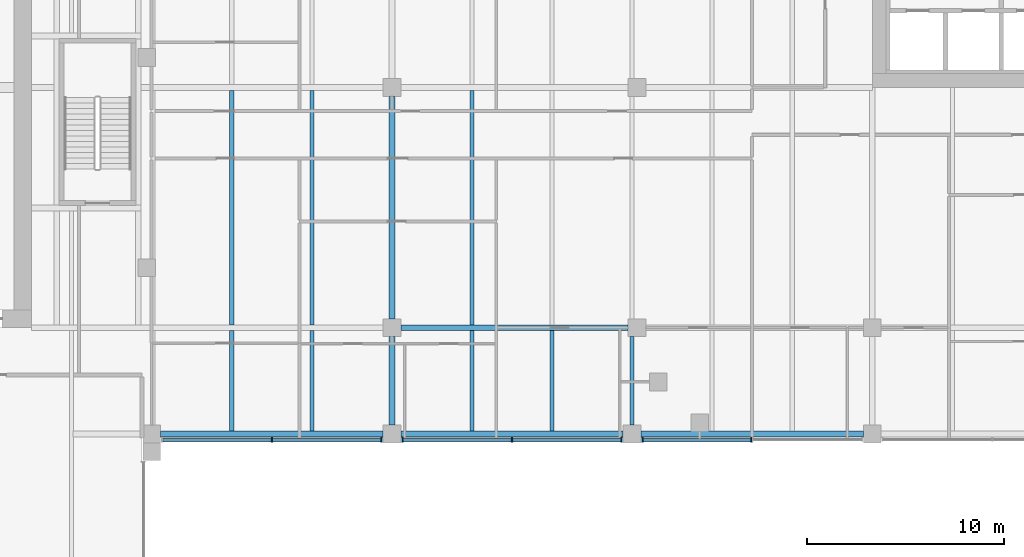
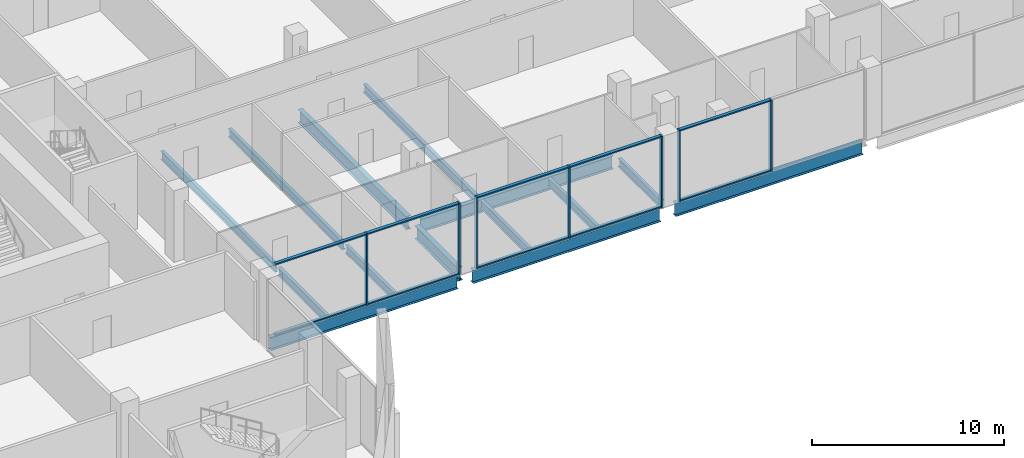
# One storey, part 7 of 33: 17 members, 14 beams, 3 elements without a shape of their own.
"""IFC4 building model written with IfcOpenShell, lengths in metres."""

from ifc_helpers import new_model, si_unit, direction, frame, origin, origin_2d, place, context, subcontext, project, spatial, rectangle, i_section, extrude, material, material_profile, profile_set, type_object, element, aggregate, save


model = new_model("IFC4")

# Units and contexts
model_context = context("Model", 3, precision=1e-05, world=origin(), true_north=direction((0.0, 1.0)))
body_context = subcontext(model_context, "Body", "Model", "MODEL_VIEW")
ifc_project = project(units=[si_unit("LENGTHUNIT", "METRE"), si_unit("AREAUNIT", "SQUARE_METRE"), si_unit("VOLUMEUNIT", "CUBIC_METRE"), si_unit("PLANEANGLEUNIT", "RADIAN"), si_unit("MASSUNIT", "GRAM", prefix="KILO")], contexts=[model_context])

# Site, building, storey
site_placement = place(None, origin())
site = spatial("IfcSite", under=ifc_project, at=site_placement, CompositionType="ELEMENT")
building_placement = place(site_placement, origin())
building = spatial("IfcBuilding", under=site, at=building_placement, Name="Tessera Gate Towers", CompositionType="ELEMENT")
storey_placement = place(building_placement, frame((0.0, 0.0, 7.199951171875)))
storey = spatial("IfcBuildingStorey", under=building, at=storey_placement, Name="L01", CompositionType="ELEMENT", Elevation=7.199951171875)

# Beams
ifc_material_1 = material(Name="Steel 350W", Category="steel")
ifc_material_profile_1 = material_profile(ifc_material_1, i_section(OverallWidth=0.2919921875, OverallDepth=0.8349609375, WebThickness=0.013916015625, FlangeThickness=0.018798828125, at=origin_2d()), Name="W840x176")
ifc_profile_set_1 = profile_set([ifc_material_profile_1], Name="Steel 350W")
beam_type_1 = type_object("IfcBeamType", Name="FLOOR GIRDER W840x176", PredefinedType="BEAM", material=ifc_profile_set_1)
for number, where, z_axis, x_axis, name in (
    (1, (61.449951171875, 19.0, -0.66748046875), (1.0, 0.0, 0.0), (0.0, 1.0, 0.0), "PD-GD-L01-189"),
    (2, (73.64990234375, 19.0, -0.66748046875), (1.0, 0.0, 0.0), (0.0, 1.0, 0.0), "PD-GD-L01-190"),
):
    element("IfcBeam", number, at=place(storey_placement, frame(where, z_axis=z_axis, x_axis=x_axis)), inside=storey, type_object=beam_type_1, Name=name, PredefinedType="BEAM", context=body_context, shape_type="SweptSolid", body=[
        extrude(i_section(OverallWidth=0.2919921875, OverallDepth=0.8349609375, WebThickness=0.013916015625, FlangeThickness=0.018798828125, at=origin_2d()), origin(), (0.0, 0.0, 1.0), 11.300048828125),
    ])
beam_1_placement = place(storey_placement, frame((85.85009765625, 19.0, -0.66748046875), z_axis=(1.0, 0.0, 0.0), x_axis=(0.0, 1.0, 0.0)))
element("IfcBeam", 3, at=beam_1_placement, inside=storey, type_object=beam_type_1, Name="PD-GD-L01-191", PredefinedType="BEAM", context=body_context, shape_type="SweptSolid", body=[
    extrude(i_section(OverallWidth=0.2919921875, OverallDepth=0.8349609375, WebThickness=0.013916015625, FlangeThickness=0.018798828125, at=origin_2d()), origin(), (0.0, 0.0, 1.0), 11.2998046875),
])
beam_2_placement = place(storey_placement, frame((73.64990234375, 24.39990234375, -0.66748046875), z_axis=(1.0, 0.0, 0.0), x_axis=(0.0, 1.0, 0.0)))
element("IfcBeam", 4, at=beam_2_placement, inside=storey, type_object=beam_type_1, Name="PD-GD-L01-207", PredefinedType="BEAM", context=body_context, shape_type="SweptSolid", body=[
    extrude(i_section(OverallWidth=0.2919921875, OverallDepth=0.8349609375, WebThickness=0.013916015625, FlangeThickness=0.018798828125, at=origin_2d()), origin(), (0.0, 0.0, 1.0), 11.550048828125),
])
beam_3_placement = place(storey_placement, frame((73.199951171875, 19.449951171875, -0.66748046875), z_axis=(0.0, 1.0, 0.0), x_axis=(-1.0, 0.0, 0.0)))
element("IfcBeam", 5, at=beam_3_placement, inside=storey, type_object=beam_type_1, Name="PD-GD-L01-247", PredefinedType="BEAM", context=body_context, shape_type="SweptSolid", body=[
    extrude(i_section(OverallWidth=0.2919921875, OverallDepth=0.8349609375, WebThickness=0.013916015625, FlangeThickness=0.018798828125, at=origin_2d()), origin(), (0.0, 0.0, 1.0), 4.5),
])
beam_4_placement = place(storey_placement, frame((73.199951171875, 24.85009765625, -0.66748046875), z_axis=(0.0, 1.0, 0.0), x_axis=(-1.0, 0.0, 0.0)))
element("IfcBeam", 6, at=beam_4_placement, inside=storey, type_object=beam_type_1, Name="PD-GD-L01-248", PredefinedType="BEAM", context=body_context, shape_type="SweptSolid", body=[
    extrude(i_section(OverallWidth=0.2919921875, OverallDepth=0.8349609375, WebThickness=0.013916015625, FlangeThickness=0.018798828125, at=origin_2d()), origin(), (0.0, 0.0, 1.0), 11.2998046875),
])
ifc_material_2 = material(Name="Steel 350W", Category="steel")
ifc_material_profile_2 = material_profile(ifc_material_2, i_section(OverallWidth=0.208984375, OverallDepth=0.528076171875, WebThickness=0.009521484375, FlangeThickness=0.01318359375, at=origin_2d()), Name="W530x82")
ifc_profile_set_2 = profile_set([ifc_material_profile_2], Name="Steel 350W")
beam_type_2 = type_object("IfcBeamType", Name="FLOOR SECONDARY W530x82", PredefinedType="BEAM", material=ifc_profile_set_2)
beam_5_placement = place(storey_placement, frame((65.066650390625, 19.14599609375, -0.513916015625), z_axis=(0.0, 1.0, 0.0), x_axis=(-1.0, 0.0, 0.0)))
element("IfcBeam", 7, at=beam_5_placement, inside=storey, type_object=beam_type_2, Name="PD-BM-L01-301", PredefinedType="BEAM", context=body_context, shape_type="SweptSolid", body=[
    extrude(i_section(OverallWidth=0.208984375, OverallDepth=0.528076171875, WebThickness=0.009521484375, FlangeThickness=0.01318359375, at=origin_2d()), origin(), (0.0, 0.0, 1.0), 5.10791015625),
])
beam_6_placement = place(storey_placement, frame((65.066650390625, 24.5458984375, -0.513916015625), z_axis=(0.0, 1.0, 0.0), x_axis=(-1.0, 0.0, 0.0)))
element("IfcBeam", 8, at=beam_6_placement, inside=storey, type_object=beam_type_2, Name="PD-BM-L01-302", PredefinedType="BEAM", context=body_context, shape_type="SweptSolid", body=[
    extrude(i_section(OverallWidth=0.208984375, OverallDepth=0.528076171875, WebThickness=0.009521484375, FlangeThickness=0.01318359375, at=origin_2d()), origin(), (0.0, 0.0, 1.0), 11.908203125),
])
beam_7_placement = place(storey_placement, frame((69.13330078125, 19.14599609375, -0.513916015625), z_axis=(0.0, 1.0, 0.0), x_axis=(-1.0, 0.0, 0.0)))
element("IfcBeam", 9, at=beam_7_placement, inside=storey, type_object=beam_type_2, Name="PD-BM-L01-305", PredefinedType="BEAM", context=body_context, shape_type="SweptSolid", body=[
    extrude(i_section(OverallWidth=0.208984375, OverallDepth=0.528076171875, WebThickness=0.009521484375, FlangeThickness=0.01318359375, at=origin_2d()), origin(), (0.0, 0.0, 1.0), 5.10791015625),
])
beam_8_placement = place(storey_placement, frame((69.13330078125, 24.5458984375, -0.513916015625), z_axis=(0.0, 1.0, 0.0), x_axis=(-1.0, 0.0, 0.0)))
element("IfcBeam", 10, at=beam_8_placement, inside=storey, type_object=beam_type_2, Name="PD-BM-L01-306", PredefinedType="BEAM", context=body_context, shape_type="SweptSolid", body=[
    extrude(i_section(OverallWidth=0.208984375, OverallDepth=0.528076171875, WebThickness=0.009521484375, FlangeThickness=0.01318359375, at=origin_2d()), origin(), (0.0, 0.0, 1.0), 11.908203125),
])
beam_9_placement = place(storey_placement, frame((77.2666015625, 19.14599609375, -0.513916015625), z_axis=(0.0, 1.0, 0.0), x_axis=(-1.0, 0.0, 0.0)))
element("IfcBeam", 11, at=beam_9_placement, inside=storey, type_object=beam_type_2, Name="PD-BM-L01-309", PredefinedType="BEAM", context=body_context, shape_type="SweptSolid", body=[
    extrude(i_section(OverallWidth=0.208984375, OverallDepth=0.528076171875, WebThickness=0.009521484375, FlangeThickness=0.01318359375, at=origin_2d()), origin(), (0.0, 0.0, 1.0), 5.10791015625),
])
beam_10_placement = place(storey_placement, frame((77.2666015625, 24.5458984375, -0.513916015625), z_axis=(0.0, 1.0, 0.0), x_axis=(-1.0, 0.0, 0.0)))
element("IfcBeam", 12, at=beam_10_placement, inside=storey, type_object=beam_type_2, Name="PD-BM-L01-310", PredefinedType="BEAM", context=body_context, shape_type="SweptSolid", body=[
    extrude(i_section(OverallWidth=0.208984375, OverallDepth=0.528076171875, WebThickness=0.009521484375, FlangeThickness=0.01318359375, at=origin_2d()), origin(), (0.0, 0.0, 1.0), 11.908203125),
])
beam_11_placement = place(storey_placement, frame((81.333251953125, 19.14599609375, -0.513916015625), z_axis=(0.0, 1.0, 0.0), x_axis=(-1.0, 0.0, 0.0)))
element("IfcBeam", 13, at=beam_11_placement, inside=storey, type_object=beam_type_2, Name="PD-BM-L01-313", PredefinedType="BEAM", context=body_context, shape_type="SweptSolid", body=[
    extrude(i_section(OverallWidth=0.208984375, OverallDepth=0.528076171875, WebThickness=0.009521484375, FlangeThickness=0.01318359375, at=origin_2d()), origin(), (0.0, 0.0, 1.0), 5.10791015625),
])
beam_12_placement = place(storey_placement, frame((85.39990234375, 19.449951171875, -0.513916015625), z_axis=(0.0, 1.0, 0.0), x_axis=(-1.0, 0.0, 0.0)))
element("IfcBeam", 14, at=beam_12_placement, inside=storey, type_object=beam_type_2, Name="PD-BM-L01-317", PredefinedType="BEAM", context=body_context, shape_type="SweptSolid", body=[
    extrude(i_section(OverallWidth=0.208984375, OverallDepth=0.528076171875, WebThickness=0.009521484375, FlangeThickness=0.01318359375, at=origin_2d()), origin(), (0.0, 0.0, 1.0), 4.5),
])

# Curtain wall, members
ifc_material_3 = material(Name="Aluminium frame", Category="aluminium")
curtain_wall_type = type_object("IfcCurtainWallType", Name="CW-S2 galleria glazing", PredefinedType="NOTDEFINED", material=ifc_material_3)
curtain_wall_1_placement = place(storey_placement, origin())
curtain_wall_1 = element("IfcCurtainWall", 15, at=curtain_wall_1_placement, inside=storey, type_object=curtain_wall_type, Name="Curtain wall galleria glazing 0150", PredefinedType="NOTDEFINED")
ifc_material_4 = material(Name="Aluminium frame", Category="aluminium")
ifc_material_profile_3 = material_profile(ifc_material_4, rectangle(XDim=0.080078125, YDim=0.25, at=origin_2d()), Name="AL 80x250")
ifc_profile_set_3 = profile_set([ifc_material_profile_3], Name="Aluminium frame")
member_type_1 = type_object("IfcMemberType", Name="MU-S2 mullion 80x250", PredefinedType="MULLION", material=ifc_profile_set_3)
member_1_placement = place(storey_placement, frame((67.10009765625, 18.699951171875, 0.0), z_axis=(0.0, 0.0, 1.0), x_axis=(1.0, 0.0, 0.0)))
member_1 = element("IfcMember", 16, at=member_1_placement, type_object=member_type_1, Name="PD-CW2-0150 mullion 2", PredefinedType="MULLION", context=body_context, shape_type="SweptSolid", body=[
    extrude(rectangle(XDim=0.080078125, YDim=0.25, at=origin_2d()), origin(), (0.0, 0.0, 1.0), 4.550048828125),
])
member_2_placement = place(storey_placement, frame((72.669921875, 18.699951171875, 0.0), z_axis=(0.0, 0.0, 1.0), x_axis=(1.0, 0.0, 0.0)))
member_2 = element("IfcMember", 17, at=member_2_placement, type_object=member_type_1, Name="PD-CW2-0150 mullion 3", PredefinedType="MULLION", context=body_context, shape_type="SweptSolid", body=[
    extrude(rectangle(XDim=0.080078125, YDim=0.25, at=origin_2d()), origin(), (0.0, 0.0, 1.0), 4.550048828125),
])

curtain_wall_2_placement = place(storey_placement, origin())
curtain_wall_2 = element("IfcCurtainWall", 18, at=curtain_wall_2_placement, inside=storey, type_object=curtain_wall_type, Name="Curtain wall galleria glazing 0151", PredefinedType="NOTDEFINED")
member_3_placement = place(storey_placement, frame((73.72998046875, 18.699951171875, 0.0), z_axis=(0.0, 0.0, 1.0), x_axis=(1.0, 0.0, 0.0)))
member_3 = element("IfcMember", 19, at=member_3_placement, type_object=member_type_1, Name="PD-CW2-0151 mullion 1", PredefinedType="MULLION", context=body_context, shape_type="SweptSolid", body=[
    extrude(rectangle(XDim=0.080078125, YDim=0.25, at=origin_2d()), origin(), (0.0, 0.0, 1.0), 4.550048828125),
])
member_4_placement = place(storey_placement, frame((79.300048828125, 18.699951171875, 0.0), z_axis=(0.0, 0.0, 1.0), x_axis=(1.0, 0.0, 0.0)))
member_4 = element("IfcMember", 20, at=member_4_placement, type_object=member_type_1, Name="PD-CW2-0151 mullion 2", PredefinedType="MULLION", context=body_context, shape_type="SweptSolid", body=[
    extrude(rectangle(XDim=0.080078125, YDim=0.25, at=origin_2d()), origin(), (0.0, 0.0, 1.0), 4.550048828125),
])
member_5_placement = place(storey_placement, frame((84.8701171875, 18.699951171875, 0.0), z_axis=(0.0, 0.0, 1.0), x_axis=(1.0, 0.0, 0.0)))
member_5 = element("IfcMember", 21, at=member_5_placement, type_object=member_type_1, Name="PD-CW2-0151 mullion 3", PredefinedType="MULLION", context=body_context, shape_type="SweptSolid", body=[
    extrude(rectangle(XDim=0.080078125, YDim=0.25, at=origin_2d()), origin(), (0.0, 0.0, 1.0), 4.550048828125),
])

curtain_wall_3_placement = place(storey_placement, origin())
curtain_wall_3 = element("IfcCurtainWall", 22, at=curtain_wall_3_placement, inside=storey, type_object=curtain_wall_type, Name="Curtain wall galleria glazing 0152", PredefinedType="NOTDEFINED")
member_6_placement = place(storey_placement, frame((85.929931640625, 18.699951171875, 0.0), z_axis=(0.0, 0.0, 1.0), x_axis=(1.0, 0.0, 0.0)))
member_6 = element("IfcMember", 23, at=member_6_placement, type_object=member_type_1, Name="PD-CW2-0152 mullion 1", PredefinedType="MULLION", context=body_context, shape_type="SweptSolid", body=[
    extrude(rectangle(XDim=0.080078125, YDim=0.25, at=origin_2d()), origin(), (0.0, 0.0, 1.0), 4.550048828125),
])
member_7_placement = place(storey_placement, frame((91.4599609375, 18.699951171875, 0.0), z_axis=(0.0, 0.0, 1.0), x_axis=(1.0, 0.0, 0.0)))
member_7 = element("IfcMember", 24, at=member_7_placement, type_object=member_type_1, Name="PD-CW2-0152 mullion 2", PredefinedType="MULLION", context=body_context, shape_type="SweptSolid", body=[
    extrude(rectangle(XDim=0.080078125, YDim=0.25, at=origin_2d()), origin(), (0.0, 0.0, 1.0), 4.550048828125),
])

# Member
ifc_material_5 = material(Name="Aluminium frame", Category="aluminium")
ifc_material_profile_4 = material_profile(ifc_material_5, rectangle(XDim=0.199951171875, YDim=0.080078125, at=origin_2d()), Name="AL 80x200")
ifc_profile_set_4 = profile_set([ifc_material_profile_4], Name="Aluminium frame")
member_type_2 = type_object("IfcMemberType", Name="TR-S2 transom 80x200", PredefinedType="USERDEFINED", material=ifc_profile_set_4)
member_8_placement = place(storey_placement, frame((61.570068359375, 18.699951171875, 0.0400390625), z_axis=(1.0, 0.0, 0.0), x_axis=(0.0, 1.0, 0.0)))
member_8 = element("IfcMember", 25, at=member_8_placement, type_object=member_type_2, Name="PD-CW2-0150 transom 1.1", ObjectType="TRANSOM", PredefinedType="USERDEFINED", context=body_context, shape_type="SweptSolid", body=[
    extrude(rectangle(XDim=0.199951171875, YDim=0.080078125, at=origin_2d()), origin(), (0.0, 0.0, 1.0), 5.489990234375),
])

member_9_placement = place(storey_placement, frame((61.570068359375, 18.699951171875, 4.510009765625), z_axis=(1.0, 0.0, 0.0), x_axis=(0.0, 1.0, 0.0)))
member_9 = element("IfcMember", 26, at=member_9_placement, type_object=member_type_2, Name="PD-CW2-0150 transom 1.2", ObjectType="TRANSOM", PredefinedType="USERDEFINED", context=body_context, shape_type="SweptSolid", body=[
    extrude(rectangle(XDim=0.199951171875, YDim=0.080078125, at=origin_2d()), origin(), (0.0, 0.0, 1.0), 5.489990234375),
])

member_10_placement = place(storey_placement, frame((67.139892578125, 18.699951171875, 0.0400390625), z_axis=(1.0, 0.0, 0.0), x_axis=(0.0, 1.0, 0.0)))
member_10 = element("IfcMember", 27, at=member_10_placement, type_object=member_type_2, Name="PD-CW2-0150 transom 2.1", ObjectType="TRANSOM", PredefinedType="USERDEFINED", context=body_context, shape_type="SweptSolid", body=[
    extrude(rectangle(XDim=0.199951171875, YDim=0.080078125, at=origin_2d()), origin(), (0.0, 0.0, 1.0), 5.489990234375),
])

member_11_placement = place(storey_placement, frame((67.139892578125, 18.699951171875, 4.510009765625), z_axis=(1.0, 0.0, 0.0), x_axis=(0.0, 1.0, 0.0)))
member_11 = element("IfcMember", 28, at=member_11_placement, type_object=member_type_2, Name="PD-CW2-0150 transom 2.2", ObjectType="TRANSOM", PredefinedType="USERDEFINED", context=body_context, shape_type="SweptSolid", body=[
    extrude(rectangle(XDim=0.199951171875, YDim=0.080078125, at=origin_2d()), origin(), (0.0, 0.0, 1.0), 5.489990234375),
])

aggregate(curtain_wall_1, [member_1, member_2, member_8, member_9, member_10, member_11])

member_12_placement = place(storey_placement, frame((73.77001953125, 18.699951171875, 0.0400390625), z_axis=(1.0, 0.0, 0.0), x_axis=(0.0, 1.0, 0.0)))
member_12 = element("IfcMember", 29, at=member_12_placement, type_object=member_type_2, Name="PD-CW2-0151 transom 1.1", ObjectType="TRANSOM", PredefinedType="USERDEFINED", context=body_context, shape_type="SweptSolid", body=[
    extrude(rectangle(XDim=0.199951171875, YDim=0.080078125, at=origin_2d()), origin(), (0.0, 0.0, 1.0), 5.489990234375),
])

member_13_placement = place(storey_placement, frame((73.77001953125, 18.699951171875, 4.510009765625), z_axis=(1.0, 0.0, 0.0), x_axis=(0.0, 1.0, 0.0)))
member_13 = element("IfcMember", 30, at=member_13_placement, type_object=member_type_2, Name="PD-CW2-0151 transom 1.2", ObjectType="TRANSOM", PredefinedType="USERDEFINED", context=body_context, shape_type="SweptSolid", body=[
    extrude(rectangle(XDim=0.199951171875, YDim=0.080078125, at=origin_2d()), origin(), (0.0, 0.0, 1.0), 5.489990234375),
])

member_14_placement = place(storey_placement, frame((79.340087890625, 18.699951171875, 0.0400390625), z_axis=(1.0, 0.0, 0.0), x_axis=(0.0, 1.0, 0.0)))
member_14 = element("IfcMember", 31, at=member_14_placement, type_object=member_type_2, Name="PD-CW2-0151 transom 2.1", ObjectType="TRANSOM", PredefinedType="USERDEFINED", context=body_context, shape_type="SweptSolid", body=[
    extrude(rectangle(XDim=0.199951171875, YDim=0.080078125, at=origin_2d()), origin(), (0.0, 0.0, 1.0), 5.489990234375),
])

member_15_placement = place(storey_placement, frame((79.340087890625, 18.699951171875, 4.510009765625), z_axis=(1.0, 0.0, 0.0), x_axis=(0.0, 1.0, 0.0)))
member_15 = element("IfcMember", 32, at=member_15_placement, type_object=member_type_2, Name="PD-CW2-0151 transom 2.2", ObjectType="TRANSOM", PredefinedType="USERDEFINED", context=body_context, shape_type="SweptSolid", body=[
    extrude(rectangle(XDim=0.199951171875, YDim=0.080078125, at=origin_2d()), origin(), (0.0, 0.0, 1.0), 5.489990234375),
])

aggregate(curtain_wall_2, [member_3, member_4, member_5, member_12, member_13, member_14, member_15])

member_16_placement = place(storey_placement, frame((85.969970703125, 18.699951171875, 0.0400390625), z_axis=(1.0, 0.0, 0.0), x_axis=(0.0, 1.0, 0.0)))
member_16 = element("IfcMember", 33, at=member_16_placement, type_object=member_type_2, Name="PD-CW2-0152 transom 1.1", ObjectType="TRANSOM", PredefinedType="USERDEFINED", context=body_context, shape_type="SweptSolid", body=[
    extrude(rectangle(XDim=0.199951171875, YDim=0.080078125, at=origin_2d()), origin(), (0.0, 0.0, 1.0), 5.449951171875),
])

member_17_placement = place(storey_placement, frame((85.969970703125, 18.699951171875, 4.510009765625), z_axis=(1.0, 0.0, 0.0), x_axis=(0.0, 1.0, 0.0)))
member_17 = element("IfcMember", 34, at=member_17_placement, type_object=member_type_2, Name="PD-CW2-0152 transom 1.2", ObjectType="TRANSOM", PredefinedType="USERDEFINED", context=body_context, shape_type="SweptSolid", body=[
    extrude(rectangle(XDim=0.199951171875, YDim=0.080078125, at=origin_2d()), origin(), (0.0, 0.0, 1.0), 5.449951171875),
])

aggregate(curtain_wall_3, [member_6, member_7, member_16, member_17])

save(model, "model.ifc")
